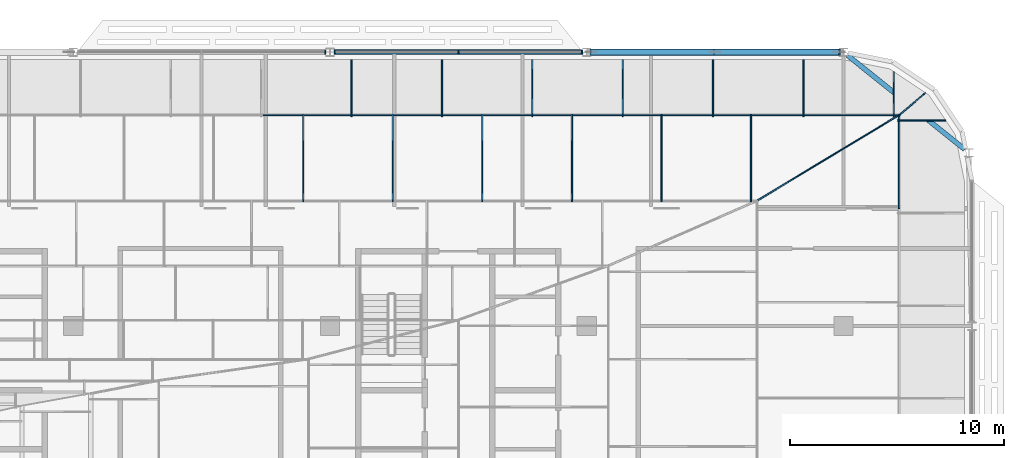
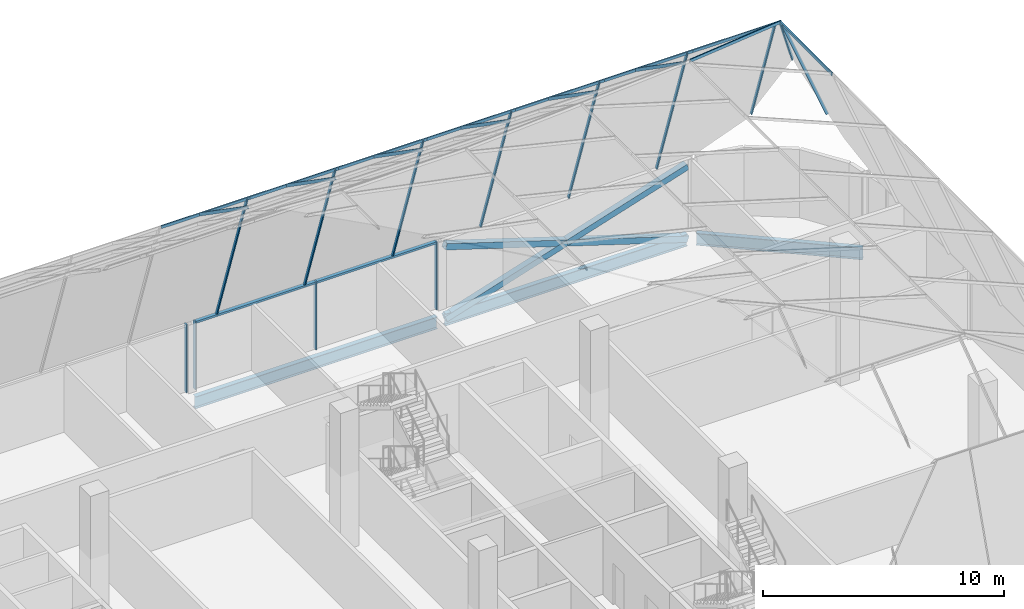
# One storey, part 18 of 39: 33 members, 3 beams, 6 elements without a shape of their own.
"""IFC4 building model written with IfcOpenShell, lengths in metres."""

import ifcopenshell
import ifcopenshell.guid

model = None  # the IFC model being written
_history = None  # IfcOwnerHistory: only IFC2X3 demands one
_inside = {}  # id of a spatial element -> (the spatial element, [elements in it])
_under = {}  # id of a project, library or spatial element -> (it, [spatial elements below it])
_declared = {}  # id of a project -> (the project, [libraries it declares])
_typed = {}  # id of a type object -> (the type object, [elements of that type])
_made_of = {}  # id of a material, layer set ... -> (it, [elements and type objects made of it])


def new_model(schema):
    """Start an empty IFC model of exactly this schema.

    Asked for "IFC4X3", IfcOpenShell would pick the latest addendum, in which some entities
    have other attributes; the version numbers below select the first issue.
    IFC2X3 requires an IfcOwnerHistory on every rooted entity: one is made here for all.
    """
    global model, _history
    if schema == "IFC4X3":
        model = ifcopenshell.file(schema_version=(4, 3, 0, 0))
    else:
        model = ifcopenshell.file(schema=schema)
    _inside.clear()
    _under.clear()
    _declared.clear()
    _typed.clear()
    _made_of.clear()
    _history = None
    if model.schema == "IFC2X3":
        org = make("IfcOrganization", Name="unknown")
        user = make(
            "IfcPersonAndOrganization",
            ThePerson=make("IfcPerson", FamilyName="unknown"),
            TheOrganization=org,
        )
        app = make(
            "IfcApplication",
            ApplicationDeveloper=org,
            Version="unknown",
            ApplicationFullName="unknown",
            ApplicationIdentifier="unknown",
        )
        _history = make(
            "IfcOwnerHistory",
            OwningUser=user,
            OwningApplication=app,
            ChangeAction="ADDED",
            CreationDate=0,
        )
    return model


def make(cls, **values):
    """One entity of the class cls with the attributes given. An attribute that is None is left unset."""
    return model.create_entity(
        cls, **{name: value for name, value in values.items() if value is not None}
    )


def rooted(cls, **values):
    """An entity with a GlobalId (a new one), such as an element, a storey or a relation."""
    return make(cls, GlobalId=ifcopenshell.guid.new(), OwnerHistory=_history, **values)


def si_unit(unit_type, name, prefix=None):
    """IfcSIUnit, for example si_unit("LENGTHUNIT", "METRE", prefix="MILLI")."""
    return make("IfcSIUnit", UnitType=unit_type, Prefix=prefix, Name=name)


def assignment(units):
    """IfcUnitAssignment: the units of a project."""
    return None if units is None else make("IfcUnitAssignment", Units=units)


def point(xyz):
    """IfcCartesianPoint."""
    return None if xyz is None else make("IfcCartesianPoint", Coordinates=xyz)


def direction(xyz):
    """IfcDirection."""
    return None if xyz is None else make("IfcDirection", DirectionRatios=xyz)


def frame(location, z_axis=None, x_axis=None):
    """IfcAxis2Placement3D, a coordinate frame: its origin and axes. An axis left out is left unset."""
    return make(
        "IfcAxis2Placement3D",
        Location=point(location),
        Axis=direction(z_axis),
        RefDirection=direction(x_axis),
    )


def frame_2d(location, x_axis=None):
    """IfcAxis2Placement2D, a coordinate frame in the plane: its origin and x axis."""
    return make(
        "IfcAxis2Placement2D", Location=point(location), RefDirection=direction(x_axis)
    )


def origin():
    """The frame at (0, 0, 0) with its axes left unset."""
    return frame((0.0, 0.0, 0.0))


def origin_2d():
    """The frame at (0, 0) in the plane with its x axis left unset."""
    return frame_2d((0.0, 0.0))


def place(relative_to, where):
    """IfcLocalPlacement: puts the frame where relative to a parent placement (None: the world)."""
    return make(
        "IfcLocalPlacement", PlacementRelTo=relative_to, RelativePlacement=where
    )


def context(
    kind, dimensions, precision=None, world=None, true_north=None, identifier=None
):
    """IfcGeometricRepresentationContext, for example the 3D "Model" context."""
    return make(
        "IfcGeometricRepresentationContext",
        ContextIdentifier=identifier,
        ContextType=kind,
        CoordinateSpaceDimension=dimensions,
        Precision=precision,
        WorldCoordinateSystem=world,
        TrueNorth=true_north,
    )


def subcontext(parent, identifier, kind, view, scale=None):
    """IfcGeometricRepresentationSubContext, for example "Body" below "Model"."""
    return make(
        "IfcGeometricRepresentationSubContext",
        ContextIdentifier=identifier,
        ContextType=kind,
        ParentContext=parent,
        TargetScale=scale,
        TargetView=view,
    )


def project(units=None, contexts=None):
    """IfcProject with its units and contexts."""
    return rooted(
        "IfcProject",
        Name="project",
        RepresentationContexts=contexts,
        UnitsInContext=assignment(units),
    )


def spatial(cls, under=None, at=None, **own):
    """A site, building, storey or space (cls), placed at a placement, below another one or the project."""
    s = rooted(cls, ObjectPlacement=at, **own)
    if under is not None:
        _under.setdefault(under.id(), (under, []))[1].append(s)
    return s


def profile(cls, at=None, kind="AREA", **sizes):
    """A parametric profile (cls). Its sizes go by their IFC names, for example OverallWidth=200.0."""
    return make(cls, ProfileType=kind, Position=at, **sizes)


def rectangle(**sizes):
    """IfcRectangleProfileDef."""
    return profile("IfcRectangleProfileDef", **sizes)


def hollow_rectangle(**sizes):
    """IfcRectangleHollowProfileDef."""
    return profile("IfcRectangleHollowProfileDef", **sizes)


def i_section(**sizes):
    """IfcIShapeProfileDef."""
    return profile("IfcIShapeProfileDef", **sizes)


def extrude(swept, where, along, depth):
    """IfcExtrudedAreaSolid: the profile swept, set in the frame where, extruded along a direction by depth."""
    return make(
        "IfcExtrudedAreaSolid",
        SweptArea=swept,
        Position=where,
        ExtrudedDirection=direction(along),
        Depth=depth,
    )


def shape(context_of_items, identifier, shape_type, items):
    """IfcShapeRepresentation: the items that make up one representation, for example the "Body"."""
    return make(
        "IfcShapeRepresentation",
        ContextOfItems=context_of_items,
        RepresentationIdentifier=identifier,
        RepresentationType=shape_type,
        Items=items,
    )


def material(Name=None, Category=None):
    """IfcMaterial."""
    return make("IfcMaterial", Name=Name, Category=Category)


def material_profile(
    of_material, cross_section, Name=None, Category=None, Priority=None
):
    """IfcMaterialProfile: a cross section and its material."""
    return make(
        "IfcMaterialProfile",
        Name=Name,
        Material=of_material,
        Profile=cross_section,
        Priority=Priority,
        Category=Category,
    )


def profile_set(profiles, Name=None, composite=None):
    """IfcMaterialProfileSet."""
    return make(
        "IfcMaterialProfileSet",
        Name=Name,
        MaterialProfiles=profiles,
        CompositeProfile=composite,
    )


def made_of(thing, what):
    """Note that an element or type object is made of a material, layer set ...; save() writes the relation."""
    if what is not None:
        _made_of.setdefault(what.id(), (what, []))[1].append(thing)
    return thing


def type_object(cls, material=None, **own):
    """A type object (cls), such as IfcWallType, which elements share."""
    return made_of(rooted(cls, **own), material)


def element(
    cls,
    number,
    at=None,
    inside=None,
    cuts=None,
    type_object=None,
    material=None,
    context=None,
    identifier="Body",
    shape_type=None,
    held_by="IfcProductDefinitionShape",
    body=None,
    shapes=None,
    **own,
):
    """One element of the class cls, such as IfcWall. Its Tag is "e" and its number.

    at: its placement. inside: the storey or other place that contains it. cuts: it is an
    opening in that element (IfcRelVoidsElement). A single representation is given by context,
    identifier, shape_type and body (its items); several are given by shapes. held_by: the class
    of the entity that holds the representations. save() writes the other relations.
    """
    e = rooted(cls, Tag="e%d" % number, ObjectPlacement=at, **own)
    if body is not None:
        shapes = [shape(context, identifier, shape_type, body)]
    if shapes is not None:
        e.Representation = make(held_by, Representations=shapes)
    if inside is not None:
        _inside.setdefault(inside.id(), (inside, []))[1].append(e)
    if cuts is not None:
        rooted(
            "IfcRelVoidsElement", RelatingBuildingElement=cuts, RelatedOpeningElement=e
        )
    if type_object is not None:
        _typed.setdefault(type_object.id(), (type_object, []))[1].append(e)
    return made_of(e, material)


def aggregate(whole, parts):
    """IfcRelAggregates: a whole, such as a stair, and the parts it consists of."""
    return rooted("IfcRelAggregates", RelatingObject=whole, RelatedObjects=parts)


def save(model, path):
    """Write the relations noted so far, then the file.

    IfcRelAggregates (storeys below a building ...), IfcRelContainedInSpatialStructure (elements
    in a storey), IfcRelDefinesByType, IfcRelAssociatesMaterial and IfcRelDeclares: one each for
    every whole, place, type object, material and project.
    """
    for whole, parts in _under.values():
        aggregate(whole, parts)
    for where, things in _inside.values():
        rooted(
            "IfcRelContainedInSpatialStructure",
            RelatedElements=things,
            RelatingStructure=where,
        )
    for kind, things in _typed.values():
        rooted("IfcRelDefinesByType", RelatedObjects=things, RelatingType=kind)
    for what, things in _made_of.values():
        rooted("IfcRelAssociatesMaterial", RelatedObjects=things, RelatingMaterial=what)
    for by, libraries in _declared.values():
        rooted("IfcRelDeclares", RelatingContext=by, RelatedDefinitions=libraries)
    model.write(path)


model = new_model("IFC4")

# Units and contexts
model_context = context("Model", 3, precision=1e-05, world=origin(), true_north=direction((0.0, 1.0)))
body_context = subcontext(model_context, "Body", "Model", "MODEL_VIEW")
ifc_project = project(units=[si_unit("LENGTHUNIT", "METRE"), si_unit("AREAUNIT", "SQUARE_METRE"), si_unit("VOLUMEUNIT", "CUBIC_METRE"), si_unit("PLANEANGLEUNIT", "RADIAN"), si_unit("MASSUNIT", "GRAM", prefix="KILO")], contexts=[model_context])

# Site, building, storey
site_placement = place(None, origin())
site = spatial("IfcSite", under=ifc_project, at=site_placement, CompositionType="ELEMENT")
building_placement = place(site_placement, origin())
building = spatial("IfcBuilding", under=site, at=building_placement, Name="Mahtab Terrace Research Tower", CompositionType="ELEMENT")
storey_placement = place(building_placement, frame((0.0, 0.0, 282.300048828125)))
storey = spatial("IfcBuildingStorey", under=building, at=storey_placement, Name="L69", CompositionType="ELEMENT", Elevation=282.300048828125)

# Curtain wall, member
ifc_material_1 = material(Name="Crown faceted glass roof")
curtain_wall_type_1 = type_object("IfcCurtainWallType", Name="Crown faceted glass roof", PredefinedType="NOTDEFINED", material=ifc_material_1)
curtain_wall_1_placement = place(storey_placement, origin())
curtain_wall_1 = element("IfcCurtainWall", 1, at=curtain_wall_1_placement, inside=storey, type_object=curtain_wall_type_1, Name="CROWN.E0", PredefinedType="NOTDEFINED")
ifc_material_2 = material(Name="Natural anodised aluminium", Category="aluminium")
ifc_material_profile_1 = material_profile(ifc_material_2, rectangle(XDim=0.06005859375, YDim=0.139892578125, at=origin_2d()), Name="MULLION 60x140")
ifc_profile_set_1 = profile_set([ifc_material_profile_1], Name="Natural anodised aluminium")
member_type_1 = type_object("IfcMemberType", Name="Crown faceted glass roof mullion", PredefinedType="MULLION", material=ifc_profile_set_1)
member_1_placement = place(storey_placement, frame((46.72021484375, 21.10791015625, 5.906005859375), z_axis=(-0.375925416356, 0.0, 0.926649923832), x_axis=(0.0, -1.0, 0.0)))
member_1 = element("IfcMember", 2, at=member_1_placement, type_object=member_type_1, Name="CWC-E1 mullion 8", PredefinedType="MULLION", context=body_context, shape_type="SweptSolid", body=[
    extrude(rectangle(XDim=0.06005859375, YDim=0.139892578125, at=origin_2d()), origin(), (0.0, 0.0, 1.0), 5.6845703125),
])
aggregate(curtain_wall_1, [member_1])

# Curtain wall, members
curtain_wall_2_placement = place(storey_placement, origin())
curtain_wall_2 = element("IfcCurtainWall", 3, at=curtain_wall_2_placement, inside=storey, type_object=curtain_wall_type_1, Name="CROWN.N0", PredefinedType="NOTDEFINED")
member_2_placement = place(storey_placement, frame((19.00634765625, 23.890869140625, 3.777099609375), z_axis=(0.0, -0.325682087794, 0.945479337527), x_axis=(1.0, 0.0, 0.0)))
member_2 = element("IfcMember", 4, at=member_2_placement, type_object=member_type_1, Name="CWC-N1 mullion 16", PredefinedType="MULLION", context=body_context, shape_type="SweptSolid", body=[
    extrude(rectangle(XDim=0.06005859375, YDim=0.139892578125, at=origin_2d()), origin(), (0.0, 0.0, 1.0), 7.826904296875),
])
member_3_placement = place(storey_placement, frame((23.22998046875, 23.890869140625, 3.777099609375), z_axis=(0.0, -0.325682087794, 0.945479337527), x_axis=(1.0, 0.0, 0.0)))
member_3 = element("IfcMember", 5, at=member_3_placement, type_object=member_type_1, Name="CWC-N1 mullion 17", PredefinedType="MULLION", context=body_context, shape_type="SweptSolid", body=[
    extrude(rectangle(XDim=0.06005859375, YDim=0.139892578125, at=origin_2d()), origin(), (0.0, 0.0, 1.0), 7.826904296875),
])
member_4_placement = place(storey_placement, frame((27.45361328125, 23.890869140625, 3.777099609375), z_axis=(0.0, -0.325682087794, 0.945479337527), x_axis=(1.0, 0.0, 0.0)))
member_4 = element("IfcMember", 6, at=member_4_placement, type_object=member_type_1, Name="CWC-N1 mullion 18", PredefinedType="MULLION", context=body_context, shape_type="SweptSolid", body=[
    extrude(rectangle(XDim=0.06005859375, YDim=0.139892578125, at=origin_2d()), origin(), (0.0, 0.0, 1.0), 7.826904296875),
])
member_5_placement = place(storey_placement, frame((31.67724609375, 23.890869140625, 3.777099609375), z_axis=(0.0, -0.325682087794, 0.945479337527), x_axis=(1.0, 0.0, 0.0)))
member_5 = element("IfcMember", 7, at=member_5_placement, type_object=member_type_1, Name="CWC-N1 mullion 19", PredefinedType="MULLION", context=body_context, shape_type="SweptSolid", body=[
    extrude(rectangle(XDim=0.06005859375, YDim=0.139892578125, at=origin_2d()), origin(), (0.0, 0.0, 1.0), 7.826904296875),
])
member_6_placement = place(storey_placement, frame((35.90087890625, 23.890869140625, 3.777099609375), z_axis=(0.0, -0.325682087794, 0.945479337527), x_axis=(1.0, 0.0, 0.0)))
member_6 = element("IfcMember", 8, at=member_6_placement, type_object=member_type_1, Name="CWC-N1 mullion 20", PredefinedType="MULLION", context=body_context, shape_type="SweptSolid", body=[
    extrude(rectangle(XDim=0.06005859375, YDim=0.139892578125, at=origin_2d()), origin(), (0.0, 0.0, 1.0), 7.826904296875),
])
member_7_placement = place(storey_placement, frame((40.12451171875, 23.890869140625, 3.777099609375), z_axis=(0.0, -0.325682087794, 0.945479337527), x_axis=(1.0, 0.0, 0.0)))
member_7 = element("IfcMember", 9, at=member_7_placement, type_object=member_type_1, Name="CWC-N1 mullion 21", PredefinedType="MULLION", context=body_context, shape_type="SweptSolid", body=[
    extrude(rectangle(XDim=0.06005859375, YDim=0.139892578125, at=origin_2d()), origin(), (0.0, 0.0, 1.0), 7.826904296875),
])
member_8_placement = place(storey_placement, frame((44.34814453125, 23.328125, 5.410400390625), z_axis=(0.0, -0.325662532981, 0.945486073199), x_axis=(1.0, 0.0, 0.0)))
member_8 = element("IfcMember", 10, at=member_8_placement, type_object=member_type_1, Name="CWC-N1 mullion 22", PredefinedType="MULLION", context=body_context, shape_type="SweptSolid", body=[
    extrude(rectangle(XDim=0.06005859375, YDim=0.139892578125, at=origin_2d()), origin(), (0.0, 0.0, 1.0), 6.099365234375),
])

curtain_wall_3_placement = place(storey_placement, origin())
curtain_wall_3 = element("IfcCurtainWall", 11, at=curtain_wall_3_placement, inside=storey, type_object=curtain_wall_type_1, Name="CROWN.N1", PredefinedType="NOTDEFINED")
member_9_placement = place(storey_placement, frame((16.745361328125, 21.367919921875, 11.142333984375), z_axis=(0.0, -0.820812816506, 0.571197269128), x_axis=(1.0, 0.0, 0.0)))
member_9 = element("IfcMember", 12, at=member_9_placement, type_object=member_type_1, Name="CWC-N2 mullion 14", PredefinedType="MULLION", context=body_context, shape_type="SweptSolid", body=[
    extrude(rectangle(XDim=0.06005859375, YDim=0.139892578125, at=origin_2d()), origin(), (0.0, 0.0, 1.0), 4.902099609375),
])
member_10_placement = place(storey_placement, frame((20.931640625, 21.367919921875, 11.142333984375), z_axis=(0.0, -0.820812816506, 0.571197269128), x_axis=(1.0, 0.0, 0.0)))
member_10 = element("IfcMember", 13, at=member_10_placement, type_object=member_type_1, Name="CWC-N2 mullion 15", PredefinedType="MULLION", context=body_context, shape_type="SweptSolid", body=[
    extrude(rectangle(XDim=0.06005859375, YDim=0.139892578125, at=origin_2d()), origin(), (0.0, 0.0, 1.0), 4.902099609375),
])
member_11_placement = place(storey_placement, frame((25.117919921875, 21.367919921875, 11.142333984375), z_axis=(0.0, -0.820812816506, 0.571197269128), x_axis=(1.0, 0.0, 0.0)))
member_11 = element("IfcMember", 14, at=member_11_placement, type_object=member_type_1, Name="CWC-N2 mullion 16", PredefinedType="MULLION", context=body_context, shape_type="SweptSolid", body=[
    extrude(rectangle(XDim=0.06005859375, YDim=0.139892578125, at=origin_2d()), origin(), (0.0, 0.0, 1.0), 4.902099609375),
])
member_12_placement = place(storey_placement, frame((29.304443359375, 21.367919921875, 11.142333984375), z_axis=(0.0, -0.820812816506, 0.571197269128), x_axis=(1.0, 0.0, 0.0)))
member_12 = element("IfcMember", 15, at=member_12_placement, type_object=member_type_1, Name="CWC-N2 mullion 17", PredefinedType="MULLION", context=body_context, shape_type="SweptSolid", body=[
    extrude(rectangle(XDim=0.06005859375, YDim=0.139892578125, at=origin_2d()), origin(), (0.0, 0.0, 1.0), 4.902099609375),
])
member_13_placement = place(storey_placement, frame((33.49072265625, 21.367919921875, 11.142333984375), z_axis=(0.0, -0.820812816506, 0.571197269128), x_axis=(1.0, 0.0, 0.0)))
member_13 = element("IfcMember", 16, at=member_13_placement, type_object=member_type_1, Name="CWC-N2 mullion 18", PredefinedType="MULLION", context=body_context, shape_type="SweptSolid", body=[
    extrude(rectangle(XDim=0.06005859375, YDim=0.139892578125, at=origin_2d()), origin(), (0.0, 0.0, 1.0), 4.902099609375),
])
member_14_placement = place(storey_placement, frame((37.677001953125, 21.367919921875, 11.142333984375), z_axis=(0.0, -0.820812816506, 0.571197269128), x_axis=(1.0, 0.0, 0.0)))
member_14 = element("IfcMember", 17, at=member_14_placement, type_object=member_type_1, Name="CWC-N2 mullion 19", PredefinedType="MULLION", context=body_context, shape_type="SweptSolid", body=[
    extrude(rectangle(XDim=0.06005859375, YDim=0.139892578125, at=origin_2d()), origin(), (0.0, 0.0, 1.0), 4.902099609375),
])

# Member
member_15_placement = place(storey_placement, frame((45.7822265625, 22.36376953125, 8.264404296875), z_axis=(-0.358084793195, -0.304108503613, 0.882775905263), x_axis=(0.647322651757, -0.762216100934, 0.0)))
member_15 = element("IfcMember", 18, at=member_15_placement, type_object=member_type_1, Name="CWC hip NE 1", PredefinedType="MULLION", context=body_context, shape_type="SweptSolid", body=[
    extrude(rectangle(XDim=0.06005859375, YDim=0.139892578125, at=origin_2d()), origin(), (0.0, 0.0, 1.0), 3.288330078125),
])

aggregate(curtain_wall_2, [member_2, member_3, member_4, member_5, member_6, member_7, member_8, member_15])

member_16_placement = place(storey_placement, frame((44.633544921875, 21.38671875, 11.134765625), z_axis=(-0.805812536168, -0.48607093475, 0.338232468793), x_axis=(0.516512865623, -0.856279428485, 0.0)))
member_16 = element("IfcMember", 19, at=member_16_placement, type_object=member_type_1, Name="CWC hip NE 2", PredefinedType="MULLION", context=body_context, shape_type="SweptSolid", body=[
    extrude(rectangle(XDim=0.06005859375, YDim=0.139892578125, at=origin_2d()), origin(), (0.0, 0.0, 1.0), 8.278564453125),
])

# Curtain wall, member
curtain_wall_4_placement = place(storey_placement, origin())
curtain_wall_4 = element("IfcCurtainWall", 20, at=curtain_wall_4_placement, inside=storey, type_object=curtain_wall_type_1, Name="CROWN.E1", PredefinedType="NOTDEFINED")
ifc_material_profile_2 = material_profile(ifc_material_2, rectangle(XDim=0.06005859375, YDim=0.139892578125, at=origin_2d()), Name="TRANSOM 60x140")
ifc_profile_set_2 = profile_set([ifc_material_profile_2], Name="Natural anodised aluminium")
member_type_2 = type_object("IfcMemberType", Name="Crown faceted glass roof transom", PredefinedType="USERDEFINED", material=ifc_profile_set_2)
member_17_placement = place(storey_placement, frame((44.598388671875, 16.99560546875, 11.150634765625), z_axis=(0.0, 1.0, 0.0), x_axis=(-1.0, 0.0, 0.0)))
member_17 = element("IfcMember", 21, at=member_17_placement, type_object=member_type_2, Name="CWC-E2 transom 7", ObjectType="TRANSOM", PredefinedType="USERDEFINED", context=body_context, shape_type="SweptSolid", body=[
    extrude(rectangle(XDim=0.06005859375, YDim=0.139892578125, at=origin_2d()), origin(), (0.0, 0.0, 1.0), 4.412353515625),
])
aggregate(curtain_wall_4, [member_17])

# Member
member_18_placement = place(storey_placement, frame((14.8828125, 21.352294921875, 11.15771484375), z_axis=(1.0, 0.0, 0.0), x_axis=(0.0, 1.0, 0.0)))
member_18 = element("IfcMember", 22, at=member_18_placement, type_object=member_type_2, Name="CWC-N2 transom 15", ObjectType="TRANSOM", PredefinedType="USERDEFINED", context=body_context, shape_type="SweptSolid", body=[
    extrude(rectangle(XDim=0.06005859375, YDim=0.139892578125, at=origin_2d()), origin(), (0.0, 0.0, 1.0), 4.252197265625),
])

member_19_placement = place(storey_placement, frame((19.135009765625, 21.352294921875, 11.15771484375), z_axis=(1.0, 0.0, 0.0), x_axis=(0.0, 1.0, 0.0)))
member_19 = element("IfcMember", 23, at=member_19_placement, type_object=member_type_2, Name="CWC-N2 transom 16", ObjectType="TRANSOM", PredefinedType="USERDEFINED", context=body_context, shape_type="SweptSolid", body=[
    extrude(rectangle(XDim=0.06005859375, YDim=0.139892578125, at=origin_2d()), origin(), (0.0, 0.0, 1.0), 4.252197265625),
])

member_20_placement = place(storey_placement, frame((23.38720703125, 21.352294921875, 11.15771484375), z_axis=(1.0, 0.0, 0.0), x_axis=(0.0, 1.0, 0.0)))
member_20 = element("IfcMember", 24, at=member_20_placement, type_object=member_type_2, Name="CWC-N2 transom 17", ObjectType="TRANSOM", PredefinedType="USERDEFINED", context=body_context, shape_type="SweptSolid", body=[
    extrude(rectangle(XDim=0.06005859375, YDim=0.139892578125, at=origin_2d()), origin(), (0.0, 0.0, 1.0), 4.252197265625),
])

member_21_placement = place(storey_placement, frame((27.639404296875, 21.352294921875, 11.15771484375), z_axis=(1.0, 0.0, 0.0), x_axis=(0.0, 1.0, 0.0)))
member_21 = element("IfcMember", 25, at=member_21_placement, type_object=member_type_2, Name="CWC-N2 transom 18", ObjectType="TRANSOM", PredefinedType="USERDEFINED", context=body_context, shape_type="SweptSolid", body=[
    extrude(rectangle(XDim=0.06005859375, YDim=0.139892578125, at=origin_2d()), origin(), (0.0, 0.0, 1.0), 4.252197265625),
])

member_22_placement = place(storey_placement, frame((31.8916015625, 21.352294921875, 11.15771484375), z_axis=(1.0, 0.0, 0.0), x_axis=(0.0, 1.0, 0.0)))
member_22 = element("IfcMember", 26, at=member_22_placement, type_object=member_type_2, Name="CWC-N2 transom 19", ObjectType="TRANSOM", PredefinedType="USERDEFINED", context=body_context, shape_type="SweptSolid", body=[
    extrude(rectangle(XDim=0.06005859375, YDim=0.139892578125, at=origin_2d()), origin(), (0.0, 0.0, 1.0), 4.252197265625),
])

member_23_placement = place(storey_placement, frame((36.143798828125, 21.352294921875, 11.15771484375), z_axis=(1.0, 0.0, 0.0), x_axis=(0.0, 1.0, 0.0)))
member_23 = element("IfcMember", 27, at=member_23_placement, type_object=member_type_2, Name="CWC-N2 transom 20", ObjectType="TRANSOM", PredefinedType="USERDEFINED", context=body_context, shape_type="SweptSolid", body=[
    extrude(rectangle(XDim=0.06005859375, YDim=0.139892578125, at=origin_2d()), origin(), (0.0, 0.0, 1.0), 4.252197265625),
])

member_24_placement = place(storey_placement, frame((40.39599609375, 21.352294921875, 11.15771484375), z_axis=(1.0, 0.0, 0.0), x_axis=(0.0, 1.0, 0.0)))
member_24 = element("IfcMember", 28, at=member_24_placement, type_object=member_type_2, Name="CWC-N2 transom 21", ObjectType="TRANSOM", PredefinedType="USERDEFINED", context=body_context, shape_type="SweptSolid", body=[
    extrude(rectangle(XDim=0.06005859375, YDim=0.139892578125, at=origin_2d()), origin(), (0.0, 0.0, 1.0), 4.251953125),
])

aggregate(curtain_wall_3, [member_9, member_10, member_11, member_12, member_13, member_14, member_18, member_19, member_20, member_21, member_22, member_23, member_24, member_16])

# Members
ifc_material_3 = material(Name="Steel ASTM A500 Gr C", Category="steel")
ifc_material_profile_3 = material_profile(ifc_material_3, hollow_rectangle(XDim=0.3046875, YDim=0.3046875, WallThickness=0.015869140625, at=origin_2d()), Name="HSS12X12X5/8")
ifc_profile_set_3 = profile_set([ifc_material_profile_3], Name="Steel ASTM A500 Gr C")
member_type_3 = type_object("IfcMemberType", Name="HSS 12x12x5/8 brace XB121258", PredefinedType="BRACE", material=ifc_profile_set_3)
member_25_placement = place(storey_placement, frame((41.80322265625, 24.306884765625, -0.581298828125), z_axis=(-0.953344149173, 0.0, 0.301885629399), x_axis=(0.0, -1.0, 0.0)))
element("IfcMember", 29, at=member_25_placement, inside=storey, type_object=member_type_3, Name="Exoskeleton brace L69 02 a", PredefinedType="BRACE", context=body_context, shape_type="SweptSolid", body=[
    extrude(hollow_rectangle(XDim=0.3046875, YDim=0.3046875, WallThickness=0.015869140625, at=origin_2d()), origin(), (0.0, 0.0, 1.0), 12.174560546875),
])
for number, where, z_axis, x_axis, name in (
    (30, (30.19677734375, 24.306884765625, -0.581298828125), (0.953344149173, 0.0, 0.301885629399), (0.0, 1.0, 0.0), "Exoskeleton brace L69 02 b1"),
    (31, (36.0, 24.306884765625, 1.25634765625), (0.953344149173, 0.0, 0.301885629399), (0.0, 1.0, 0.0), "Exoskeleton brace L69 02 b2"),
):
    element("IfcMember", number, at=place(storey_placement, frame(where, z_axis=z_axis, x_axis=x_axis)), inside=storey, type_object=member_type_3, Name=name, PredefinedType="BRACE", context=body_context, shape_type="SweptSolid", body=[
        extrude(hollow_rectangle(XDim=0.3046875, YDim=0.3046875, WallThickness=0.015869140625, at=origin_2d()), origin(), (0.0, 0.0, 1.0), 6.087158203125),
    ])

# Curtain wall, members
ifc_material_4 = material(Name="Office ribbon curtain wall")
curtain_wall_type_2 = type_object("IfcCurtainWallType", Name="Office ribbon curtain wall", PredefinedType="NOTDEFINED", material=ifc_material_4)
curtain_wall_5_placement = place(storey_placement, origin())
curtain_wall_5 = element("IfcCurtainWall", 32, at=curtain_wall_5_placement, inside=storey, type_object=curtain_wall_type_2, Name="EN.L69.3.4", PredefinedType="NOTDEFINED")
ifc_material_profile_4 = material_profile(ifc_material_2, rectangle(XDim=0.179931640625, YDim=0.06005859375, at=origin_2d()), Name="MULLION 60x180")
ifc_profile_set_4 = profile_set([ifc_material_profile_4], Name="Natural anodised aluminium")
member_type_4 = type_object("IfcMemberType", Name="Office ribbon curtain wall mullion", PredefinedType="MULLION", material=ifc_profile_set_4)
member_26_placement = place(storey_placement, frame((29.781982421875, 24.306884765625, 0.0), z_axis=(0.0, 0.0, 1.0), x_axis=(0.0, -1.0, 0.0)))
member_26 = element("IfcMember", 33, at=member_26_placement, type_object=member_type_4, Name="CWO-8 mullion 1", PredefinedType="MULLION", context=body_context, shape_type="SweptSolid", body=[
    extrude(rectangle(XDim=0.179931640625, YDim=0.06005859375, at=origin_2d()), origin(), (0.0, 0.0, 1.0), 3.4599609375),
])
member_27_placement = place(storey_placement, frame((24.0, 24.306884765625, 0.0), z_axis=(0.0, 0.0, 1.0), x_axis=(0.0, -1.0, 0.0)))
member_27 = element("IfcMember", 34, at=member_27_placement, type_object=member_type_4, Name="CWO-8 mullion 2", PredefinedType="MULLION", context=body_context, shape_type="SweptSolid", body=[
    extrude(rectangle(XDim=0.179931640625, YDim=0.06005859375, at=origin_2d()), origin(), (0.0, 0.0, 1.0), 3.4599609375),
])
member_28_placement = place(storey_placement, frame((18.218017578125, 24.306884765625, 0.0), z_axis=(0.0, 0.0, 1.0), x_axis=(0.0, -1.0, 0.0)))
member_28 = element("IfcMember", 35, at=member_28_placement, type_object=member_type_4, Name="CWO-8 mullion 3", PredefinedType="MULLION", context=body_context, shape_type="SweptSolid", body=[
    extrude(rectangle(XDim=0.179931640625, YDim=0.06005859375, at=origin_2d()), origin(), (0.0, 0.0, 1.0), 3.4599609375),
])

# Curtain wall, member
curtain_wall_6_placement = place(storey_placement, origin())
curtain_wall_6 = element("IfcCurtainWall", 36, at=curtain_wall_6_placement, inside=storey, type_object=curtain_wall_type_2, Name="EN.L69.3.5", PredefinedType="NOTDEFINED")
member_29_placement = place(storey_placement, frame((17.781982421875, 24.306884765625, 0.0), z_axis=(0.0, 0.0, 1.0), x_axis=(0.0, -1.0, 0.0)))
member_29 = element("IfcMember", 37, at=member_29_placement, type_object=member_type_4, Name="CWO-8 mullion 1", PredefinedType="MULLION", context=body_context, shape_type="SweptSolid", body=[
    extrude(rectangle(XDim=0.179931640625, YDim=0.06005859375, at=origin_2d()), origin(), (0.0, 0.0, 1.0), 3.4599609375),
])
aggregate(curtain_wall_6, [member_29])

# Member
ifc_material_profile_5 = material_profile(ifc_material_2, rectangle(XDim=0.179931640625, YDim=0.10009765625, at=origin_2d()), Name="TRANSOM 100x180")
ifc_profile_set_5 = profile_set([ifc_material_profile_5], Name="Natural anodised aluminium")
member_type_5 = type_object("IfcMemberType", Name="Office ribbon curtain wall transom", PredefinedType="USERDEFINED", material=ifc_profile_set_5)
member_30_placement = place(storey_placement, frame((29.751953125, 24.306884765625, 3.409912109375), z_axis=(-1.0, 0.0, 0.0), x_axis=(0.0, -1.0, 0.0)))
member_30 = element("IfcMember", 38, at=member_30_placement, type_object=member_type_5, Name="CWO-8 transom 1", ObjectType="TRANSOM", PredefinedType="USERDEFINED", context=body_context, shape_type="SweptSolid", body=[
    extrude(rectangle(XDim=0.179931640625, YDim=0.10009765625, at=origin_2d()), origin(), (0.0, 0.0, 1.0), 5.721923828125),
])

member_31_placement = place(storey_placement, frame((23.969970703125, 24.306884765625, 3.409912109375), z_axis=(-1.0, 0.0, 0.0), x_axis=(0.0, -1.0, 0.0)))
member_31 = element("IfcMember", 39, at=member_31_placement, type_object=member_type_5, Name="CWO-8 transom 2", ObjectType="TRANSOM", PredefinedType="USERDEFINED", context=body_context, shape_type="SweptSolid", body=[
    extrude(rectangle(XDim=0.179931640625, YDim=0.10009765625, at=origin_2d()), origin(), (0.0, 0.0, 1.0), 5.721923828125),
])

aggregate(curtain_wall_5, [member_26, member_27, member_28, member_30, member_31])

# Beams
ifc_material_5 = material(Name="Steel ASTM A992 Gr 50", Category="steel")
ifc_material_profile_6 = material_profile(ifc_material_5, i_section(OverallWidth=0.228271484375, OverallDepth=0.607177734375, WebThickness=0.01123046875, FlangeThickness=0.017333984375, at=origin_2d()), Name="W24X76")
ifc_profile_set_6 = profile_set([ifc_material_profile_6], Name="Steel ASTM A992 Gr 50")
beam_type = type_object("IfcBeamType", Name="W24x76 beam BS2476", PredefinedType="BEAM", material=ifc_profile_set_6)
beam_placement = place(storey_placement, frame((47.66015625, 19.762939453125, -0.6435546875), z_axis=(-0.77980357172, 0.626024272319, 0.0), x_axis=(-0.626024272319, -0.77980357172, 0.0)))
element("IfcBeam", 40, at=beam_placement, inside=storey, type_object=beam_type, Name="Spandrel beam L69 01", PredefinedType="BEAM", context=body_context, shape_type="SweptSolid", body=[
    extrude(i_section(OverallWidth=0.228271484375, OverallDepth=0.607177734375, WebThickness=0.01123046875, FlangeThickness=0.017333984375, at=origin_2d()), origin(), (0.0, 0.0, 1.0), 7.006103515625),
])
for number, where, z_axis, x_axis, name in (
    (41, (41.80322265625, 24.306884765625, -0.6435546875), (-1.0, 0.0, 0.0), (0.0, -1.0, 0.0), "Spandrel beam L69 02"),
    (42, (29.80322265625, 24.306884765625, -0.6435546875), (-1.0, 0.0, 0.0), (0.0, -1.0, 0.0), "Spandrel beam L69 03"),
):
    element("IfcBeam", number, at=place(storey_placement, frame(where, z_axis=z_axis, x_axis=x_axis)), inside=storey, type_object=beam_type, Name=name, PredefinedType="BEAM", context=body_context, shape_type="SweptSolid", body=[
        extrude(i_section(OverallWidth=0.228271484375, OverallDepth=0.607177734375, WebThickness=0.01123046875, FlangeThickness=0.017333984375, at=origin_2d()), origin(), (0.0, 0.0, 1.0), 11.6064453125),
    ])

save(model, "model.ifc")
